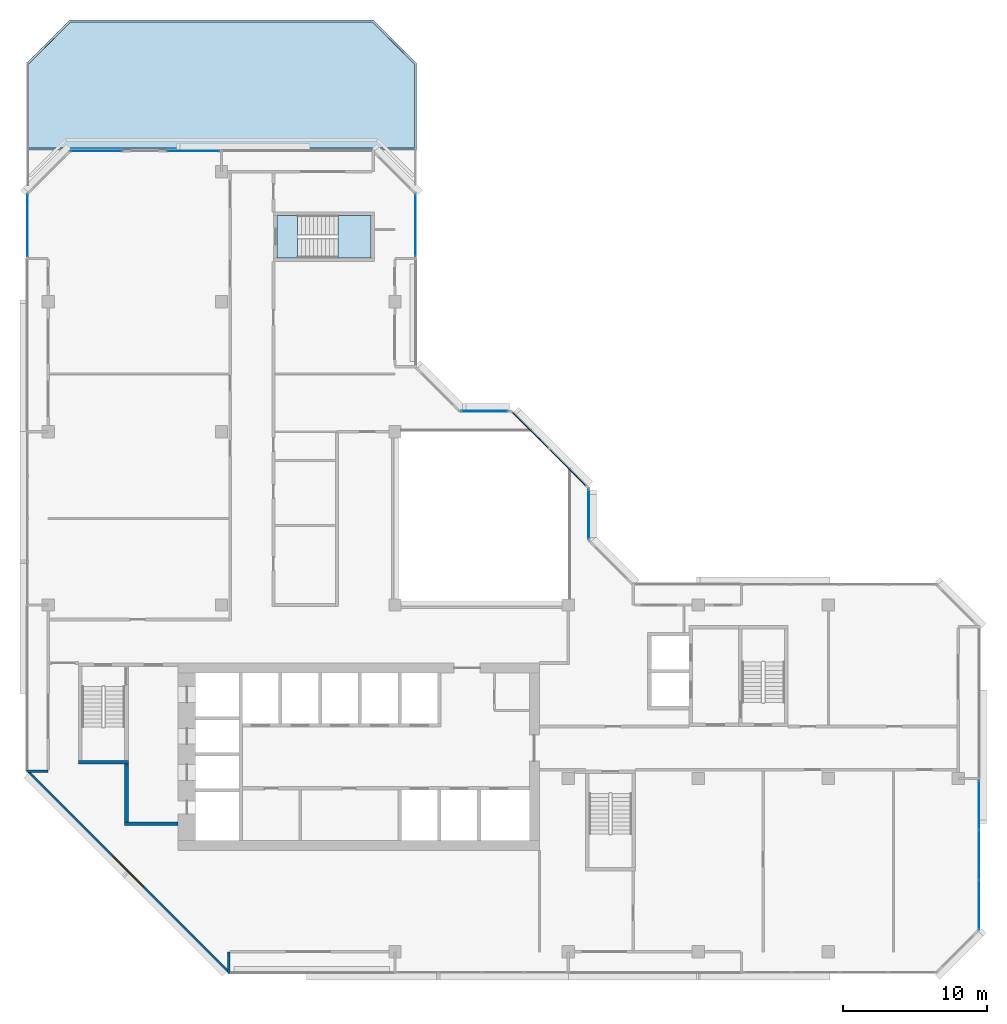
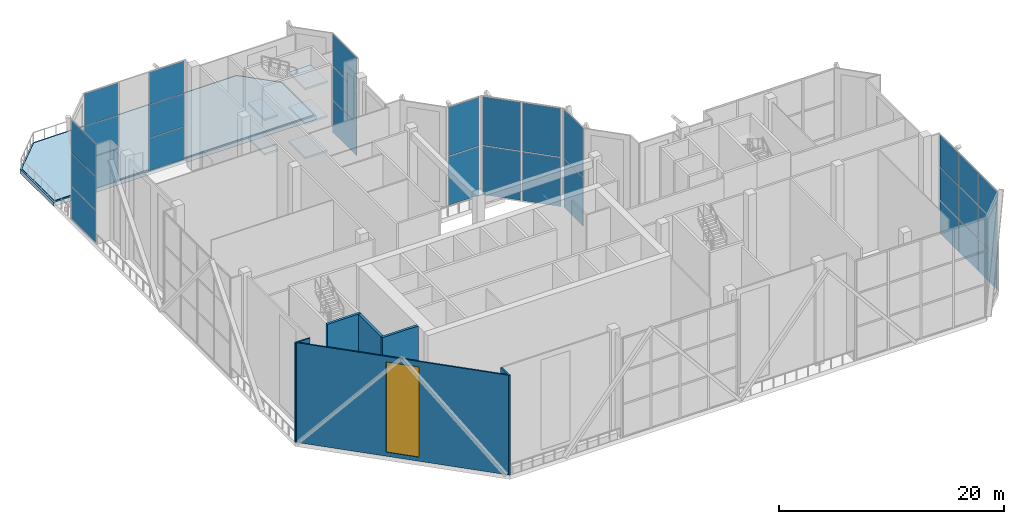
# One storey, part 9 of 18: 29 plates, 7 slabs, 6 walls, 1 window, 1 opening, 9 elements without a shape of their own.
"""IFC4 building model written with IfcOpenShell, lengths in metres."""

from ifc_helpers import new_model, si_unit, direction, frame, frame_2d, origin, origin_2d, place, context, subcontext, project, spatial, polyline, rectangle, outline, extrude, material, layer, layer_set, type_object, element, fill, aggregate, save


model = new_model("IFC4")

# Units and contexts
model_context = context("Model", 3, precision=1e-05, world=origin(), true_north=direction((0.0, 1.0)))
body_context = subcontext(model_context, "Body", "Model", "MODEL_VIEW")
ifc_project = project(units=[si_unit("LENGTHUNIT", "METRE"), si_unit("AREAUNIT", "SQUARE_METRE"), si_unit("VOLUMEUNIT", "CUBIC_METRE"), si_unit("PLANEANGLEUNIT", "RADIAN"), si_unit("MASSUNIT", "GRAM", prefix="KILO")], contexts=[model_context])

# Site, building, storey
site_placement = place(None, origin())
site = spatial("IfcSite", under=ifc_project, at=site_placement, CompositionType="ELEMENT")
building_placement = place(site_placement, origin())
building = spatial("IfcBuilding", under=site, at=building_placement, Name="Chenar Terraces", CompositionType="ELEMENT")
storey_placement = place(building_placement, frame((0.0, 0.0, 262.14990234375)))
storey = spatial("IfcBuildingStorey", under=building, at=storey_placement, Name="L62", CompositionType="ELEMENT", Elevation=262.14990234375)

# Curtain wall, plates
ifc_material_1 = material(Name="Aluminium framed glazing", Category="aluminium")
ifc_layer_1 = layer(ifc_material_1, 0.14990234375)
ifc_layer_set_1 = layer_set([ifc_layer_1], Name="Aluminium framed glazing")
curtain_wall_type_1 = type_object("IfcCurtainWallType", Name="Atrium upper-zone curtain wall", PredefinedType="NOTDEFINED", material=ifc_layer_set_1)
placement = place(storey_placement, origin())
curtain_wall_1 = element("IfcCurtainWall", 1, at=placement, inside=storey, type_object=curtain_wall_type_1, Name="Atrium upper-zone curtain wall", PredefinedType="NOTDEFINED")
ifc_material_2 = material(Name="Low emissivity laminated glass, solar control coating", Category="glass")
ifc_layer_2 = layer(ifc_material_2, 0.050048828125)
ifc_layer_set_2 = layer_set([ifc_layer_2], Name="Low emissivity laminated glass, solar control coating")
plate_type_1 = type_object("IfcPlateType", Name="Atrium upper-zone glazing panel 50", PredefinedType="CURTAIN_PANEL", material=ifc_layer_set_2)
plate_1_placement = place(storey_placement, frame((37.425048828125, 30.300048828125, 0.10009765625), z_axis=(0.0, 0.0, 1.0), x_axis=(0.0, 1.0, 0.0)))
plate_1 = element("IfcPlate", 2, at=plate_1_placement, type_object=plate_type_1, Name="CW8-1 panel 1.1", PredefinedType="CURTAIN_PANEL", context=body_context, shape_type="SweptSolid", body=[
    extrude(rectangle(XDim=3.39990234375, YDim=0.050048828125, at=origin_2d()), origin(), (0.0, 0.0, 1.0), 5.27490234375),
])
plate_2_placement = place(storey_placement, frame((37.425048828125, 30.300048828125, 5.47509765625), z_axis=(0.0, 0.0, 1.0), x_axis=(0.0, 1.0, 0.0)))
plate_2 = element("IfcPlate", 3, at=plate_2_placement, type_object=plate_type_1, Name="CW8-1 panel 1.2", PredefinedType="CURTAIN_PANEL", context=body_context, shape_type="SweptSolid", body=[
    extrude(rectangle(XDim=3.39990234375, YDim=0.050048828125, at=origin_2d()), origin(), (0.0, 0.0, 1.0), 5.27490234375),
])
aggregate(curtain_wall_1, [plate_1, plate_2])

curtain_wall_2 = element("IfcCurtainWall", 4, at=placement, inside=storey, type_object=curtain_wall_type_1, Name="Atrium upper-zone curtain wall", PredefinedType="NOTDEFINED")
plate_3_placement = place(storey_placement, frame((35.97314453125, 33.520751953125, 0.10009765625), z_axis=(0.0, 0.0, 1.0), x_axis=(-0.707106781187, 0.707106781187, 0.0)))
plate_3 = element("IfcPlate", 5, at=plate_3_placement, type_object=plate_type_1, Name="CW8-2 panel 1.1", PredefinedType="CURTAIN_PANEL", context=body_context, shape_type="SweptSolid", body=[
    extrude(rectangle(XDim=3.568359375, YDim=0.050048828125, at=origin_2d()), origin(), (0.0, 0.0, 1.0), 5.27490234375),
])
plate_4_placement = place(storey_placement, frame((35.97314453125, 33.520751953125, 5.47509765625), z_axis=(0.0, 0.0, 1.0), x_axis=(-0.707106781187, 0.707106781187, 0.0)))
plate_4 = element("IfcPlate", 6, at=plate_4_placement, type_object=plate_type_1, Name="CW8-2 panel 1.2", PredefinedType="CURTAIN_PANEL", context=body_context, shape_type="SweptSolid", body=[
    extrude(rectangle(XDim=3.568359375, YDim=0.050048828125, at=origin_2d()), origin(), (0.0, 0.0, 1.0), 5.27490234375),
])
plate_5_placement = place(storey_placement, frame((33.379150390625, 36.11474609375, 0.10009765625), z_axis=(0.0, 0.0, 1.0), x_axis=(-0.707106781187, 0.707106781187, 0.0)))
plate_5 = element("IfcPlate", 7, at=plate_5_placement, type_object=plate_type_1, Name="CW8-2 panel 2.1", PredefinedType="CURTAIN_PANEL", context=body_context, shape_type="SweptSolid", body=[
    extrude(rectangle(XDim=3.568359375, YDim=0.050048828125, at=origin_2d()), origin(), (0.0, 0.0, 1.0), 5.27490234375),
])
plate_6_placement = place(storey_placement, frame((33.379150390625, 36.11474609375, 5.47509765625), z_axis=(0.0, 0.0, 1.0), x_axis=(-0.707106781187, 0.707106781187, 0.0)))
plate_6 = element("IfcPlate", 8, at=plate_6_placement, type_object=plate_type_1, Name="CW8-2 panel 2.2", PredefinedType="CURTAIN_PANEL", context=body_context, shape_type="SweptSolid", body=[
    extrude(rectangle(XDim=3.568359375, YDim=0.050048828125, at=origin_2d()), origin(), (0.0, 0.0, 1.0), 5.27490234375),
])
aggregate(curtain_wall_2, [plate_3, plate_4, plate_5, plate_6])

curtain_wall_3 = element("IfcCurtainWall", 9, at=placement, inside=storey, type_object=curtain_wall_type_1, Name="Atrium upper-zone curtain wall", PredefinedType="NOTDEFINED")
plate_7_placement = place(storey_placement, frame((30.199951171875, 37.425048828125, 0.10009765625), z_axis=(0.0, 0.0, 1.0), x_axis=(-1.0, 0.0, 0.0)))
plate_7 = element("IfcPlate", 10, at=plate_7_placement, type_object=plate_type_1, Name="CW8-3 panel 1.1", PredefinedType="CURTAIN_PANEL", context=body_context, shape_type="SweptSolid", body=[
    extrude(rectangle(XDim=3.199951171875, YDim=0.050048828125, at=origin_2d()), origin(), (0.0, 0.0, 1.0), 5.27490234375),
])
plate_8_placement = place(storey_placement, frame((30.199951171875, 37.425048828125, 5.47509765625), z_axis=(0.0, 0.0, 1.0), x_axis=(-1.0, 0.0, 0.0)))
plate_8 = element("IfcPlate", 11, at=plate_8_placement, type_object=plate_type_1, Name="CW8-3 panel 1.2", PredefinedType="CURTAIN_PANEL", context=body_context, shape_type="SweptSolid", body=[
    extrude(rectangle(XDim=3.199951171875, YDim=0.050048828125, at=origin_2d()), origin(), (0.0, 0.0, 1.0), 5.27490234375),
])
aggregate(curtain_wall_3, [plate_7, plate_8])

# Stair, slabs
ifc_material_3 = material(Name="Reinforced concrete C40/50", Category="concrete")
stair_type = type_object("IfcStairType", Name="Core stair 1400 half-turn", PredefinedType="HALF_TURN_STAIR", material=ifc_material_3)
stair = element("IfcStair", 12, at=placement, inside=storey, type_object=stair_type, Name="L62 Stair 4", PredefinedType="HALF_TURN_STAIR")
ifc_material_4 = material(Name="Reinforced concrete C40/50", Category="concrete")
ifc_layer_3 = layer(ifc_material_4, 0.199951171875)
ifc_layer_set_3 = layer_set([ifc_layer_3], Name="Reinforced concrete C40/50")
slab_type_1 = type_object("IfcSlabType", Name="Core stair landing 200", PredefinedType="LANDING", material=ifc_layer_set_3)
slab_1_placement = place(storey_placement, frame((0.0, 0.0, 1.675048828125)))
slab_1 = element("IfcSlab", 13, at=slab_1_placement, type_object=slab_type_1, Name="ST4 landing 1", PredefinedType="LANDING", context=body_context, shape_type="SweptSolid", body=[
    extrude(outline(polyline([(20.050048828125, 48.02490234375), (22.35009765625, 48.02490234375), (22.35009765625, 50.97509765625), (20.050048828125, 50.97509765625), (20.050048828125, 48.02490234375)])), origin(), (0.0, 0.0, 1.0), 0.199951171875),
])
slab_2_placement = place(storey_placement, frame((0.0, 0.0, 3.550048828125)))
slab_2 = element("IfcSlab", 14, at=slab_2_placement, type_object=slab_type_1, Name="ST4 landing 2", PredefinedType="LANDING", context=body_context, shape_type="SweptSolid", body=[
    extrude(outline(polyline([(15.85009765625, 48.02490234375), (17.25, 48.02490234375), (17.25, 50.97509765625), (15.85009765625, 50.97509765625), (15.85009765625, 48.02490234375)])), origin(), (0.0, 0.0, 1.0), 0.199951171875),
])
slab_3_placement = place(storey_placement, frame((0.0, 0.0, 5.425048828125)))
slab_3 = element("IfcSlab", 15, at=slab_3_placement, type_object=slab_type_1, Name="ST4 landing 3", PredefinedType="LANDING", context=body_context, shape_type="SweptSolid", body=[
    extrude(outline(polyline([(20.050048828125, 48.02490234375), (22.35009765625, 48.02490234375), (22.35009765625, 50.97509765625), (20.050048828125, 50.97509765625), (20.050048828125, 48.02490234375)])), origin(), (0.0, 0.0, 1.0), 0.199951171875),
])
slab_4_placement = place(storey_placement, frame((0.0, 0.0, 7.300048828125)))
slab_4 = element("IfcSlab", 16, at=slab_4_placement, type_object=slab_type_1, Name="ST4 landing 4", PredefinedType="LANDING", context=body_context, shape_type="SweptSolid", body=[
    extrude(outline(polyline([(15.85009765625, 48.02490234375), (17.25, 48.02490234375), (17.25, 50.97509765625), (15.85009765625, 50.97509765625), (15.85009765625, 48.02490234375)])), origin(), (0.0, 0.0, 1.0), 0.199951171875),
])
slab_5_placement = place(storey_placement, frame((0.0, 0.0, 9.175048828125)))
slab_5 = element("IfcSlab", 17, at=slab_5_placement, type_object=slab_type_1, Name="ST4 landing 5", PredefinedType="LANDING", context=body_context, shape_type="SweptSolid", body=[
    extrude(outline(polyline([(20.050048828125, 48.02490234375), (22.35009765625, 48.02490234375), (22.35009765625, 50.97509765625), (20.050048828125, 50.97509765625), (20.050048828125, 48.02490234375)])), origin(), (0.0, 0.0, 1.0), 0.199951171875),
])
aggregate(stair, [slab_1, slab_2, slab_3, slab_4, slab_5])

# Curtain wall, plates
ifc_material_5 = material(Name="Aluminium framed glazing", Category="aluminium")
ifc_layer_4 = layer(ifc_material_5, 0.14990234375)
ifc_layer_set_4 = layer_set([ifc_layer_4], Name="Aluminium framed glazing")
curtain_wall_type_2 = type_object("IfcCurtainWallType", Name="Sky garden curtain wall", PredefinedType="NOTDEFINED", material=ifc_layer_set_4)
curtain_wall_4 = element("IfcCurtainWall", 18, at=placement, inside=storey, type_object=curtain_wall_type_2, Name="Sky garden curtain wall", PredefinedType="NOTDEFINED")
ifc_material_6 = material(Name="Low emissivity laminated glass, solar control coating", Category="glass")
ifc_layer_5 = layer(ifc_material_6, 0.031982421875)
ifc_layer_set_5 = layer_set([ifc_layer_5], Name="Low emissivity laminated glass, solar control coating")
plate_type_2 = type_object("IfcPlateType", Name="Sky garden glazing panel 32", PredefinedType="CURTAIN_PANEL", material=ifc_layer_set_5)
plate_9_placement = place(storey_placement, frame((25.425048828125, 50.28759765625, 0.080078125), z_axis=(0.0, 0.0, 1.0), x_axis=(0.0, 1.0, 0.0)))
plate_9 = element("IfcPlate", 19, at=plate_9_placement, type_object=plate_type_2, Name="CW3-02 panel 1.1", PredefinedType="CURTAIN_PANEL", context=body_context, shape_type="SweptSolid", body=[
    extrude(rectangle(XDim=4.264892578125, YDim=0.028076171875, at=origin_2d()), origin(), (0.0, 0.0, 1.0), 3.4970703125),
])
plate_10_placement = place(storey_placement, frame((25.425048828125, 50.28759765625, 3.6572265625), z_axis=(0.0, 0.0, 1.0), x_axis=(0.0, 1.0, 0.0)))
plate_10 = element("IfcPlate", 20, at=plate_10_placement, type_object=plate_type_2, Name="CW3-02 panel 1.2", PredefinedType="CURTAIN_PANEL", context=body_context, shape_type="SweptSolid", body=[
    extrude(rectangle(XDim=4.264892578125, YDim=0.028076171875, at=origin_2d()), origin(), (0.0, 0.0, 1.0), 3.535888671875),
])
plate_11_placement = place(storey_placement, frame((25.425048828125, 50.28759765625, 7.27294921875), z_axis=(0.0, 0.0, 1.0), x_axis=(0.0, 1.0, 0.0)))
plate_11 = element("IfcPlate", 21, at=plate_11_placement, type_object=plate_type_2, Name="CW3-02 panel 1.3", PredefinedType="CURTAIN_PANEL", context=body_context, shape_type="SweptSolid", body=[
    extrude(rectangle(XDim=4.264892578125, YDim=0.028076171875, at=origin_2d()), origin(), (0.0, 0.0, 1.0), 3.4970703125),
])
aggregate(curtain_wall_4, [plate_9, plate_10, plate_11])

curtain_wall_5 = element("IfcCurtainWall", 22, at=placement, inside=storey, type_object=curtain_wall_type_2, Name="Sky garden curtain wall", PredefinedType="NOTDEFINED")
plate_12_placement = place(storey_placement, frame((10.05615234375, 55.425048828125, 0.080078125), z_axis=(0.0, 0.0, 1.0), x_axis=(-1.0, 0.0, 0.0)))
plate_12 = element("IfcPlate", 23, at=plate_12_placement, type_object=plate_type_2, Name="CW3-03 panel 1.1", PredefinedType="CURTAIN_PANEL", context=body_context, shape_type="SweptSolid", body=[
    extrude(rectangle(XDim=3.577392578125, YDim=0.028076171875, at=origin_2d()), origin(), (0.0, 0.0, 1.0), 3.4970703125),
])
plate_13_placement = place(storey_placement, frame((10.05615234375, 55.425048828125, 3.6572265625), z_axis=(0.0, 0.0, 1.0), x_axis=(-1.0, 0.0, 0.0)))
plate_13 = element("IfcPlate", 24, at=plate_13_placement, type_object=plate_type_2, Name="CW3-03 panel 1.2", PredefinedType="CURTAIN_PANEL", context=body_context, shape_type="SweptSolid", body=[
    extrude(rectangle(XDim=3.577392578125, YDim=0.028076171875, at=origin_2d()), origin(), (0.0, 0.0, 1.0), 3.535888671875),
])
plate_14_placement = place(storey_placement, frame((10.05615234375, 55.425048828125, 7.27294921875), z_axis=(0.0, 0.0, 1.0), x_axis=(-1.0, 0.0, 0.0)))
plate_14 = element("IfcPlate", 25, at=plate_14_placement, type_object=plate_type_2, Name="CW3-03 panel 1.3", PredefinedType="CURTAIN_PANEL", context=body_context, shape_type="SweptSolid", body=[
    extrude(rectangle(XDim=3.577392578125, YDim=0.028076171875, at=origin_2d()), origin(), (0.0, 0.0, 1.0), 3.4970703125),
])
aggregate(curtain_wall_5, [plate_12, plate_13, plate_14])

curtain_wall_6 = element("IfcCurtainWall", 26, at=placement, inside=storey, type_object=curtain_wall_type_2, Name="Sky garden curtain wall", PredefinedType="NOTDEFINED")
plate_15_placement = place(storey_placement, frame((3.331298828125, 55.425048828125, 0.080078125), z_axis=(0.0, 0.0, 1.0), x_axis=(-1.0, 0.0, 0.0)))
plate_15 = element("IfcPlate", 27, at=plate_15_placement, type_object=plate_type_2, Name="CW3-04 panel 1.1", PredefinedType="CURTAIN_PANEL", context=body_context, shape_type="SweptSolid", body=[
    extrude(rectangle(XDim=3.50244140625, YDim=0.028076171875, at=origin_2d()), origin(), (0.0, 0.0, 1.0), 3.4970703125),
])
plate_16_placement = place(storey_placement, frame((3.331298828125, 55.425048828125, 3.6572265625), z_axis=(0.0, 0.0, 1.0), x_axis=(-1.0, 0.0, 0.0)))
plate_16 = element("IfcPlate", 28, at=plate_16_placement, type_object=plate_type_2, Name="CW3-04 panel 1.2", PredefinedType="CURTAIN_PANEL", context=body_context, shape_type="SweptSolid", body=[
    extrude(rectangle(XDim=3.50244140625, YDim=0.028076171875, at=origin_2d()), origin(), (0.0, 0.0, 1.0), 3.535888671875),
])
plate_17_placement = place(storey_placement, frame((3.331298828125, 55.425048828125, 7.27294921875), z_axis=(0.0, 0.0, 1.0), x_axis=(-1.0, 0.0, 0.0)))
plate_17 = element("IfcPlate", 29, at=plate_17_placement, type_object=plate_type_2, Name="CW3-04 panel 1.3", PredefinedType="CURTAIN_PANEL", context=body_context, shape_type="SweptSolid", body=[
    extrude(rectangle(XDim=3.50244140625, YDim=0.028076171875, at=origin_2d()), origin(), (0.0, 0.0, 1.0), 3.4970703125),
])
aggregate(curtain_wall_6, [plate_15, plate_16, plate_17])

curtain_wall_7 = element("IfcCurtainWall", 30, at=placement, inside=storey, type_object=curtain_wall_type_2, Name="Sky garden curtain wall", PredefinedType="NOTDEFINED")
plate_18_placement = place(storey_placement, frame((-1.425048828125, 50.28759765625, 0.080078125), z_axis=(0.0, 0.0, 1.0), x_axis=(0.0, -1.0, 0.0)))
plate_18 = element("IfcPlate", 31, at=plate_18_placement, type_object=plate_type_2, Name="CW3-05 panel 1.1", PredefinedType="CURTAIN_PANEL", context=body_context, shape_type="SweptSolid", body=[
    extrude(rectangle(XDim=4.264892578125, YDim=0.028076171875, at=origin_2d()), origin(), (0.0, 0.0, 1.0), 3.4970703125),
])
plate_19_placement = place(storey_placement, frame((-1.425048828125, 50.28759765625, 3.6572265625), z_axis=(0.0, 0.0, 1.0), x_axis=(0.0, -1.0, 0.0)))
plate_19 = element("IfcPlate", 32, at=plate_19_placement, type_object=plate_type_2, Name="CW3-05 panel 1.2", PredefinedType="CURTAIN_PANEL", context=body_context, shape_type="SweptSolid", body=[
    extrude(rectangle(XDim=4.264892578125, YDim=0.028076171875, at=origin_2d()), origin(), (0.0, 0.0, 1.0), 3.535888671875),
])
plate_20_placement = place(storey_placement, frame((-1.425048828125, 50.28759765625, 7.27294921875), z_axis=(0.0, 0.0, 1.0), x_axis=(0.0, -1.0, 0.0)))
plate_20 = element("IfcPlate", 33, at=plate_20_placement, type_object=plate_type_2, Name="CW3-05 panel 1.3", PredefinedType="CURTAIN_PANEL", context=body_context, shape_type="SweptSolid", body=[
    extrude(rectangle(XDim=4.264892578125, YDim=0.028076171875, at=origin_2d()), origin(), (0.0, 0.0, 1.0), 3.4970703125),
])
aggregate(curtain_wall_7, [plate_18, plate_19, plate_20])

curtain_wall_8 = element("IfcCurtainWall", 34, at=placement, inside=storey, type_object=curtain_wall_type_2, Name="Sky garden curtain wall", PredefinedType="NOTDEFINED")
plate_21_placement = place(storey_placement, frame((64.425048828125, 3.257568359375, 0.080078125), z_axis=(0.0, 0.0, 1.0), x_axis=(0.0, 1.0, 0.0)))
plate_21 = element("IfcPlate", 35, at=plate_21_placement, type_object=plate_type_2, Name="CW3-09 panel 1.1", PredefinedType="CURTAIN_PANEL", context=body_context, shape_type="SweptSolid", body=[
    extrude(rectangle(XDim=3.35498046875, YDim=0.028076171875, at=origin_2d()), origin(), (0.0, 0.0, 1.0), 3.4970703125),
])
plate_22_placement = place(storey_placement, frame((64.425048828125, 3.257568359375, 3.6572265625), z_axis=(0.0, 0.0, 1.0), x_axis=(0.0, 1.0, 0.0)))
plate_22 = element("IfcPlate", 36, at=plate_22_placement, type_object=plate_type_2, Name="CW3-09 panel 1.2", PredefinedType="CURTAIN_PANEL", context=body_context, shape_type="SweptSolid", body=[
    extrude(rectangle(XDim=3.35498046875, YDim=0.028076171875, at=origin_2d()), origin(), (0.0, 0.0, 1.0), 3.535888671875),
])
plate_23_placement = place(storey_placement, frame((64.425048828125, 3.257568359375, 7.27294921875), z_axis=(0.0, 0.0, 1.0), x_axis=(0.0, 1.0, 0.0)))
plate_23 = element("IfcPlate", 37, at=plate_23_placement, type_object=plate_type_2, Name="CW3-09 panel 1.3", PredefinedType="CURTAIN_PANEL", context=body_context, shape_type="SweptSolid", body=[
    extrude(rectangle(XDim=3.35498046875, YDim=0.028076171875, at=origin_2d()), origin(), (0.0, 0.0, 1.0), 3.4970703125),
])
plate_24_placement = place(storey_placement, frame((64.425048828125, 6.71240234375, 0.080078125), z_axis=(0.0, 0.0, 1.0), x_axis=(0.0, 1.0, 0.0)))
plate_24 = element("IfcPlate", 38, at=plate_24_placement, type_object=plate_type_2, Name="CW3-09 panel 2.1", PredefinedType="CURTAIN_PANEL", context=body_context, shape_type="SweptSolid", body=[
    extrude(rectangle(XDim=3.39501953125, YDim=0.028076171875, at=origin_2d()), origin(), (0.0, 0.0, 1.0), 3.4970703125),
])
plate_25_placement = place(storey_placement, frame((64.425048828125, 6.71240234375, 3.6572265625), z_axis=(0.0, 0.0, 1.0), x_axis=(0.0, 1.0, 0.0)))
plate_25 = element("IfcPlate", 39, at=plate_25_placement, type_object=plate_type_2, Name="CW3-09 panel 2.2", PredefinedType="CURTAIN_PANEL", context=body_context, shape_type="SweptSolid", body=[
    extrude(rectangle(XDim=3.39501953125, YDim=0.028076171875, at=origin_2d()), origin(), (0.0, 0.0, 1.0), 3.535888671875),
])
plate_26_placement = place(storey_placement, frame((64.425048828125, 6.71240234375, 7.27294921875), z_axis=(0.0, 0.0, 1.0), x_axis=(0.0, 1.0, 0.0)))
plate_26 = element("IfcPlate", 40, at=plate_26_placement, type_object=plate_type_2, Name="CW3-09 panel 2.3", PredefinedType="CURTAIN_PANEL", context=body_context, shape_type="SweptSolid", body=[
    extrude(rectangle(XDim=3.39501953125, YDim=0.028076171875, at=origin_2d()), origin(), (0.0, 0.0, 1.0), 3.4970703125),
])
plate_27_placement = place(storey_placement, frame((64.425048828125, 10.16748046875, 0.080078125), z_axis=(0.0, 0.0, 1.0), x_axis=(0.0, 1.0, 0.0)))
plate_27 = element("IfcPlate", 41, at=plate_27_placement, type_object=plate_type_2, Name="CW3-09 panel 3.1", PredefinedType="CURTAIN_PANEL", context=body_context, shape_type="SweptSolid", body=[
    extrude(rectangle(XDim=3.35498046875, YDim=0.028076171875, at=origin_2d()), origin(), (0.0, 0.0, 1.0), 3.4970703125),
])
plate_28_placement = place(storey_placement, frame((64.425048828125, 10.16748046875, 3.6572265625), z_axis=(0.0, 0.0, 1.0), x_axis=(0.0, 1.0, 0.0)))
plate_28 = element("IfcPlate", 42, at=plate_28_placement, type_object=plate_type_2, Name="CW3-09 panel 3.2", PredefinedType="CURTAIN_PANEL", context=body_context, shape_type="SweptSolid", body=[
    extrude(rectangle(XDim=3.35498046875, YDim=0.028076171875, at=origin_2d()), origin(), (0.0, 0.0, 1.0), 3.535888671875),
])
plate_29_placement = place(storey_placement, frame((64.425048828125, 10.16748046875, 7.27294921875), z_axis=(0.0, 0.0, 1.0), x_axis=(0.0, 1.0, 0.0)))
plate_29 = element("IfcPlate", 43, at=plate_29_placement, type_object=plate_type_2, Name="CW3-09 panel 3.3", PredefinedType="CURTAIN_PANEL", context=body_context, shape_type="SweptSolid", body=[
    extrude(rectangle(XDim=3.35498046875, YDim=0.028076171875, at=origin_2d()), origin(), (0.0, 0.0, 1.0), 3.4970703125),
])
aggregate(curtain_wall_8, [plate_21, plate_22, plate_23, plate_24, plate_25, plate_26, plate_27, plate_28, plate_29])

# Slabs
ifc_material_7 = material(Name="Limestone paving", Category="masonry")
ifc_layer_6 = layer(ifc_material_7, 0.050048828125)
ifc_layer_set_6 = layer_set([ifc_layer_6], Name="Limestone paving")
slab_type_2 = type_object("IfcSlabType", Name="Terrace paving 50", PredefinedType="USERDEFINED", material=ifc_layer_set_6)
element("IfcSlab", 44, at=placement, inside=storey, type_object=slab_type_2, Name="Terrace paving", ObjectType="PAVING", PredefinedType="USERDEFINED", context=body_context, shape_type="SweptSolid", body=[
    extrude(outline(polyline([(1.56201171875, 64.35009765625), (22.43798828125, 64.35009765625), (25.35009765625, 61.43798828125), (25.35009765625, 55.64990234375), (-1.35009765625, 55.64990234375), (-1.35009765625, 61.43798828125), (1.56201171875, 64.35009765625)])), origin(), (0.0, 0.0, 1.0), 0.050048828125),
])
ifc_material_8 = material(Name="Concrete C40/50", Category="concrete")
ifc_layer_7 = layer(ifc_material_8, 0.449951171875)
ifc_layer_set_7 = layer_set([ifc_layer_7], Name="Concrete C40/50")
slab_type_3 = type_object("IfcSlabType", Name="Terrace slab 450 Concrete C40/50", PredefinedType="FLOOR", material=ifc_layer_set_7)
slab_7_placement = place(storey_placement, frame((0.0, 0.0, -0.449951171875)))
element("IfcSlab", 45, at=slab_7_placement, inside=storey, type_object=slab_type_3, Name="Terrace slab L62", PredefinedType="FLOOR", context=body_context, shape_type="SweptSolid", body=[
    extrude(outline(polyline([(1.5, 64.5), (22.5, 64.5), (25.5, 61.5), (25.5, 55.5), (22.5, 55.5), (1.5, 55.5), (-1.5, 55.5), (-1.5, 61.5), (1.5, 64.5)])), origin(), (0.0, 0.0, 1.0), 0.449951171875),
])

# Walls
ifc_material_9 = material(Name="Concrete C60/75", Category="concrete")
ifc_layer_8 = layer(ifc_material_9, 0.25)
ifc_layer_set_8 = layer_set([ifc_layer_8], Name="Concrete C60/75")
wall_type_1 = type_object("IfcWallType", Name="Core wall 250 Concrete C60/75", PredefinedType="SHEAR", material=ifc_layer_set_8)
wall_1_placement = place(storey_placement, frame((2.10009765625, 13.125, 0.0), z_axis=(0.0, 0.0, 1.0), x_axis=(1.0, 0.0, 0.0)))
element("IfcWall", 46, at=wall_1_placement, inside=storey, type_object=wall_type_1, Name="Core wall ST1_S L62", PredefinedType="SHEAR", context=body_context, shape_type="SweptSolid", body=[
    extrude(rectangle(XDim=3.449951171875, YDim=0.25, at=frame_2d((1.72509765625, 0.0))), origin(), (0.0, 0.0, 1.0), 11.25),
])
wall_2_placement = place(storey_placement, frame((5.300048828125, 8.875, 0.0), z_axis=(0.0, 0.0, 1.0), x_axis=(1.0, 0.0, 0.0)))
element("IfcWall", 47, at=wall_2_placement, inside=storey, type_object=wall_type_1, Name="Core wall FFL_S L62", PredefinedType="SHEAR", context=body_context, shape_type="SweptSolid", body=[
    extrude(rectangle(XDim=3.699951171875, YDim=0.25, at=frame_2d((1.85009765625, 0.0))), origin(), (0.0, 0.0, 1.0), 11.25),
])
wall_3_placement = place(storey_placement, frame((5.425048828125, 9.0, 0.0), z_axis=(0.0, 0.0, 1.0), x_axis=(0.0, 1.0, 0.0)))
element("IfcWall", 48, at=wall_3_placement, inside=storey, type_object=wall_type_1, Name="Core wall FFL_W L62", PredefinedType="SHEAR", context=body_context, shape_type="SweptSolid", body=[
    extrude(rectangle(XDim=4.0, YDim=0.25, at=frame_2d((2.0, 0.0))), origin(), (0.0, 0.0, 1.0), 11.25),
])
ifc_material_10 = material(Name="Terracotta cladding on insulated backing", Category="masonry")
ifc_layer_9 = layer(ifc_material_10, 0.14990234375)
ifc_layer_set_9 = layer_set([ifc_layer_9], Name="Terracotta cladding on insulated backing")
wall_type_2 = type_object("IfcWallType", Name="Loggia return wall 150", PredefinedType="SOLIDWALL", material=ifc_layer_set_9)
for number, where, z_axis, x_axis, name in (
    (49, (-1.5, 12.5, 0.0), (0.0, 0.0, 1.0), (1.0, 0.0, 0.0), "Loggia return wall"),
    (50, (12.5, -1.5, 0.0), (0.0, 0.0, 1.0), (0.0, 1.0, 0.0), "Loggia return wall"),
):
    element("IfcWall", number, at=place(storey_placement, frame(where, z_axis=z_axis, x_axis=x_axis)), inside=storey, type_object=wall_type_2, Name=name, PredefinedType="SOLIDWALL", context=body_context, shape_type="SweptSolid", body=[
        extrude(rectangle(XDim=1.5, YDim=0.14990234375, at=frame_2d((0.75, 0.0))), origin(), (0.0, 0.0, 1.0), 10.85009765625),
    ])

# Wall, opening, window
ifc_material_11 = material(Name="Terracotta cladding on insulated backing", Category="masonry")
ifc_layer_10 = layer(ifc_material_11, 0.14990234375)
ifc_layer_set_10 = layer_set([ifc_layer_10], Name="Terracotta cladding on insulated backing")
wall_type_3 = type_object("IfcWallType", Name="Terracotta rainscreen wall 150", PredefinedType="SOLIDWALL", material=ifc_layer_set_10)
wall_4_placement = place(storey_placement, frame((-1.447021484375, 12.552978515625, 0.0), z_axis=(0.0, 0.0, 1.0), x_axis=(0.707106781187, -0.707106781187, 0.0)))
wall_4 = element("IfcWall", 51, at=wall_4_placement, inside=storey, type_object=wall_type_3, Name="Terracotta rainscreen wall", PredefinedType="SOLIDWALL", context=body_context, shape_type="SweptSolid", body=[
    extrude(rectangle(XDim=19.799072265625, YDim=0.14990234375, at=frame_2d((9.8994140625, 0.0))), origin(), (0.0, 0.0, 1.0), 10.85009765625),
])
opening_placement = place(wall_4_placement, frame((8.3994140625, 0.0, 0.449951171875)))
opening = element("IfcOpeningElement", 52, at=opening_placement, cuts=wall_4, Name="Opening W300x980", PredefinedType="OPENING", context=body_context, shape_type="SweptSolid", body=[
    extrude(rectangle(XDim=3.0, YDim=9.800048828125, at=frame_2d((1.5, 4.89990234375))), frame((0.0, 0.0849609375, 0.0), z_axis=(0.0, -1.0, 0.0), x_axis=(1.0, 0.0, 0.0)), (0.0, 0.0, 1.0), 0.169921875),
])
ifc_material_12 = material(Name="Low emissivity double glazing, aluminium frame", Category="aluminium")
window_type = type_object("IfcWindowType", Name="Fixed light 3000 x 9800", PartitioningType="SINGLE_PANEL", PredefinedType="WINDOW", material=ifc_material_12)
window_placement = place(opening_placement, origin())
window = element("IfcWindow", 53, at=window_placement, inside=storey, type_object=window_type, Name="Window", OverallHeight=9.800048828125, OverallWidth=3.0, PartitioningType="SINGLE_PANEL", PredefinedType="WINDOW", context=body_context, shape_type="SweptSolid", body=[
    extrude(rectangle(XDim=3.0, YDim=9.800048828125, at=frame_2d((1.5, 4.89990234375))), frame((0.0, 0.030029296875, 0.0), z_axis=(0.0, -1.0, 0.0), x_axis=(1.0, 0.0, 0.0)), (0.0, 0.0, 1.0), 0.06005859375),
])
fill(opening, window)

save(model, "model.ifc")
